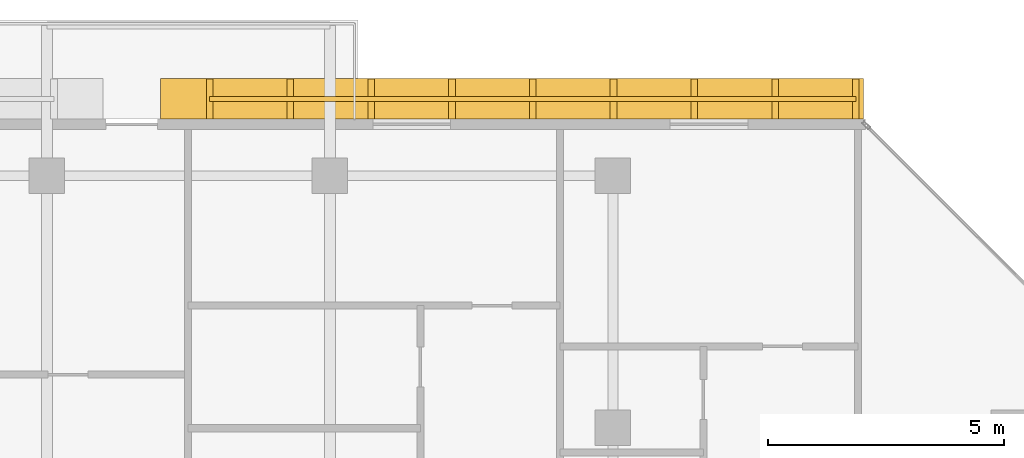
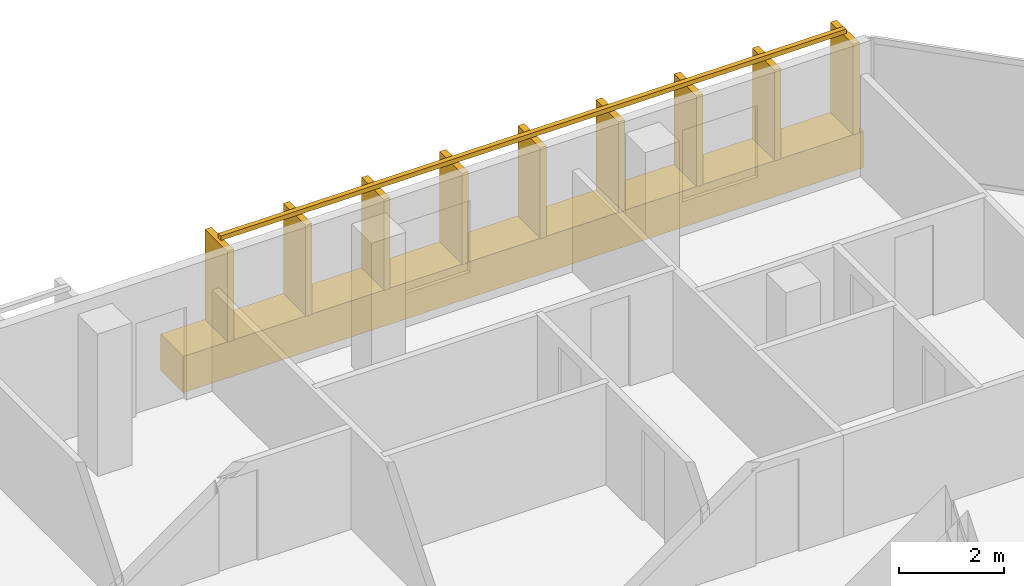
# One storey, part 25 of 25: 1 covering, 1 railing.
"""IFC4 building model written with IfcOpenShell, lengths in metres."""

from ifc_helpers import new_model, si_unit, direction, frame, origin, origin_2d, place, context, subcontext, project, spatial, rectangle, extrude, material, layer, layer_set, type_object, element, save


model = new_model("IFC4")

# Units and contexts
model_context = context("Model", 3, precision=1e-05, world=origin(), true_north=direction((0.0, 1.0)))
body_context = subcontext(model_context, "Body", "Model", "MODEL_VIEW")
ifc_project = project(units=[si_unit("LENGTHUNIT", "METRE"), si_unit("AREAUNIT", "SQUARE_METRE"), si_unit("VOLUMEUNIT", "CUBIC_METRE"), si_unit("PLANEANGLEUNIT", "RADIAN"), si_unit("MASSUNIT", "GRAM", prefix="KILO")], contexts=[model_context])

# Site, building, storey
site_placement = place(None, origin())
site = spatial("IfcSite", under=ifc_project, at=site_placement, CompositionType="ELEMENT")
building_placement = place(site_placement, origin())
building = spatial("IfcBuilding", under=site, at=building_placement, Name="Tanjung Sevakor Pilgrim Tower", CompositionType="ELEMENT")
storey_placement = place(building_placement, frame((0.0, 0.0, 204.929931640625)))
storey = spatial("IfcBuildingStorey", under=building, at=storey_placement, Name="L57", CompositionType="ELEMENT", Elevation=204.929931640625)

# Covering
ifc_material_1 = material(Name="Reconstructed Limestone Cladding", Category="masonry")
ifc_layer = layer(ifc_material_1, 0.044921875)
ifc_layer_set = layer_set([ifc_layer], Name="COV-CLAD-LIMESTONE")
covering_type = type_object("IfcCoveringType", Name="COV-CLAD-LIMESTONE", PredefinedType="CLADDING", material=ifc_layer_set)
covering_placement = place(storey_placement, frame((87.8623046875, 55.580078125, 0.01025390625), z_axis=(0.0, 0.0, 1.0), x_axis=(-1.0, 0.0, 0.0)))
element("IfcCovering", 1, at=covering_placement, inside=storey, type_object=covering_type, Name="L57 Warm Limestone Sill Spandrel EW-L57-MAIN-9-1", PredefinedType="CLADDING", context=body_context, shape_type="SweptSolid", body=[
    extrude(rectangle(XDim=14.904296875, YDim=0.860107421875, at=origin_2d()), origin(), (0.0, 0.0, 1.0), 0.840087890625),
])

# Railing
ifc_material_2 = material(Name="Anodised Bronze Aluminium 6063-T6", Category="aluminium")
railing_type = type_object("IfcRailingType", Name="RL-FIN-SCREEN", PredefinedType="BALUSTRADE", material=ifc_material_2)
railing_placement = place(storey_placement, frame((95.154296875, 55.574951171875, 0.840087890625)))
element("IfcRailing", 2, at=railing_placement, inside=storey, type_object=railing_type, Name="L57 Vertical Bronze-Gold Solar Fin Screen FNSCR-EW-L57-MAIN-9-1", PredefinedType="BALUSTRADE", context=body_context, shape_type="SweptSolid", body=[
    extrude(rectangle(XDim=0.105, YDim=0.105), frame((0.0, 0.0, 2.157470703125), z_axis=(-1.0, 0.0, 0.0), x_axis=(0.0, -1.0, 0.0)), (0.0, 0.0, 1.0), 13.704345703125),
    extrude(rectangle(XDim=0.14, YDim=0.85), origin(), (0.0, 0.0, 1.0), 2.10498046875),
    extrude(rectangle(XDim=0.14, YDim=0.85), frame((-1.713134765625, 0.0, 0.0)), (0.0, 0.0, 1.0), 2.10498046875),
    extrude(rectangle(XDim=0.14, YDim=0.85), frame((-3.426025390625, 0.0, 0.0)), (0.0, 0.0, 1.0), 2.10498046875),
    extrude(rectangle(XDim=0.14, YDim=0.85), frame((-5.13916015625, 0.0, 0.0)), (0.0, 0.0, 1.0), 2.10498046875),
    extrude(rectangle(XDim=0.14, YDim=0.85), frame((-6.85205078125, 0.0, 0.0)), (0.0, 0.0, 1.0), 2.10498046875),
    extrude(rectangle(XDim=0.14, YDim=0.85), frame((-8.565185546875, 0.0, 0.0)), (0.0, 0.0, 1.0), 2.10498046875),
    extrude(rectangle(XDim=0.14, YDim=0.85), frame((-10.2783203125, 0.0, 0.0)), (0.0, 0.0, 1.0), 2.10498046875),
    extrude(rectangle(XDim=0.14, YDim=0.85), frame((-11.9912109375, 0.0, 0.0)), (0.0, 0.0, 1.0), 2.10498046875),
    extrude(rectangle(XDim=0.14, YDim=0.85), frame((-13.704345703125, 0.0, 0.0)), (0.0, 0.0, 1.0), 2.10498046875),
])

save(model, "model.ifc")
